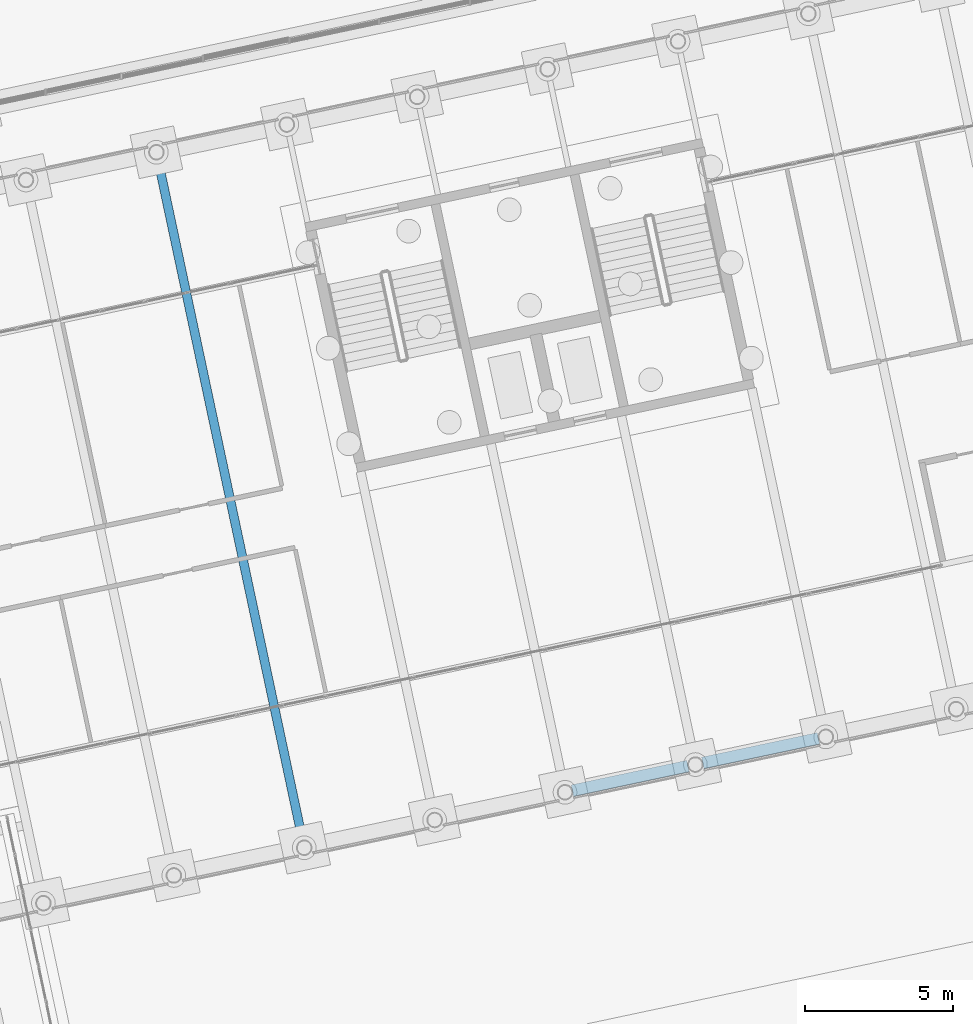
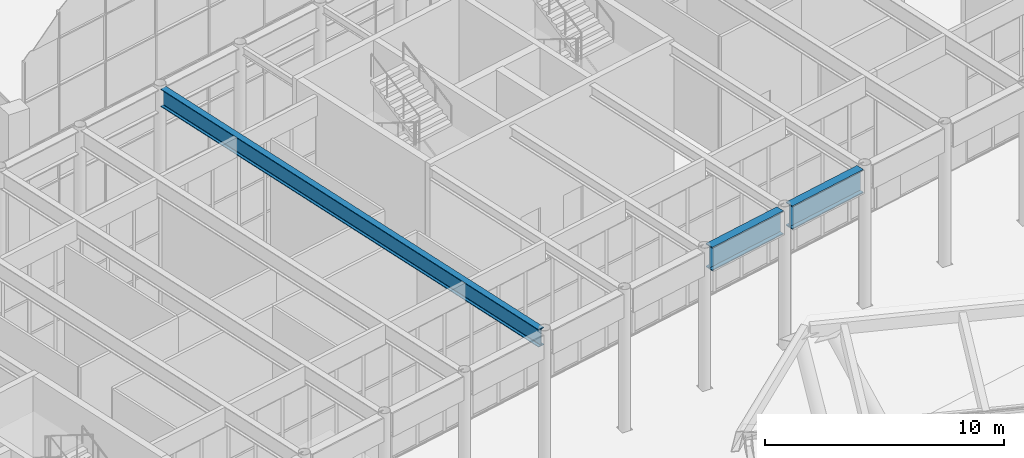
# One storey, part 93 of 239: 3 beams.
"""IFC4 building model written with IfcOpenShell, lengths in metres."""

from ifc_helpers import new_model, si_unit, direction, frame, origin, origin_2d, place, context, subcontext, project, spatial, i_section, extrude, material, material_profile, profile_set, type_object, element, save


model = new_model("IFC4")

# Units and contexts
model_context = context("Model", 3, precision=1e-05, world=origin(), true_north=direction((0.0, 1.0)))
body_context = subcontext(model_context, "Body", "Model", "MODEL_VIEW")
ifc_project = project(units=[si_unit("LENGTHUNIT", "METRE"), si_unit("AREAUNIT", "SQUARE_METRE"), si_unit("VOLUMEUNIT", "CUBIC_METRE"), si_unit("PLANEANGLEUNIT", "RADIAN"), si_unit("MASSUNIT", "GRAM", prefix="KILO")], contexts=[model_context])

# Site, building, storey
site_placement = place(None, origin())
site = spatial("IfcSite", under=ifc_project, at=site_placement, CompositionType="ELEMENT")
building_placement = place(site_placement, origin())
building = spatial("IfcBuilding", under=site, at=building_placement, Name="Okhra Congress Centre", CompositionType="ELEMENT")
storey_placement = place(building_placement, origin())
storey = spatial("IfcBuildingStorey", under=building, at=storey_placement, Name="L00", CompositionType="ELEMENT", Elevation=0.0)

# Beams
ifc_material = material(Name="Steel S355J2", Category="steel")
ifc_material_profile_1 = material_profile(ifc_material, i_section(OverallWidth=0.300048828125, OverallDepth=0.89990234375, WebThickness=0.0185546875, FlangeThickness=0.034912109375, FilletRadius=0.030029296875, at=origin_2d()), Name="HE 900 B")
ifc_profile_set_1 = profile_set([ifc_material_profile_1], Name="Steel S355J2")
beam_type_1 = type_object("IfcBeamType", Name="Floor beam HE 900 B", PredefinedType="BEAM", material=ifc_profile_set_1)
beam_1_placement = place(storey_placement, frame((166.609375, 49.459228515625, 6.60009765625), z_axis=(-0.207910966979, 0.97814775459, 0.0), x_axis=(-0.97814775459, -0.207910966979, 0.0)))
element("IfcBeam", 1, at=beam_1_placement, inside=storey, type_object=beam_type_1, Name="Floor beam 24.1", PredefinedType="BEAM", context=body_context, shape_type="SweptSolid", body=[
    extrude(i_section(OverallWidth=0.300048828125, OverallDepth=0.89990234375, WebThickness=0.0185546875, FlangeThickness=0.034912109375, FilletRadius=0.030029296875, at=origin_2d()), origin(), (0.0, 0.0, 1.0), 23.60009765625),
])
ifc_material_profile_2 = material_profile(ifc_material, i_section(OverallWidth=0.39990234375, OverallDepth=1.199951171875, WebThickness=0.02490234375, FlangeThickness=0.050048828125, at=origin_2d()), Name="Plate girder 1200x400")
ifc_profile_set_2 = profile_set([ifc_material_profile_2], Name="Steel S355J2")
beam_type_2 = type_object("IfcBeamType", Name="Perimeter plate girder 1200x400", PredefinedType="BEAM", material=ifc_profile_set_2)
beam_2_placement = place(storey_placement, frame((175.70263671875, 51.187744140625, 6.449951171875), z_axis=(0.978155431297, 0.207874847504, 0.0), x_axis=(-0.207874847504, 0.978155431297, 0.0)))
element("IfcBeam", 2, at=beam_2_placement, inside=storey, type_object=beam_type_2, Name="Perimeter girder S24", PredefinedType="BEAM", context=body_context, shape_type="SweptSolid", body=[
    extrude(i_section(OverallWidth=0.39990234375, OverallDepth=1.199951171875, WebThickness=0.02490234375, FlangeThickness=0.050048828125, at=origin_2d()), origin(), (0.0, 0.0, 1.0), 3.991943359375),
])
beam_3_placement = place(storey_placement, frame((180.1044921875, 52.123291015625, 6.449951171875), z_axis=(0.978140349848, 0.20794580063, 0.0), x_axis=(-0.20794580063, 0.978140349848, 0.0)))
element("IfcBeam", 3, at=beam_3_placement, inside=storey, type_object=beam_type_2, Name="Perimeter girder S25", PredefinedType="BEAM", context=body_context, shape_type="SweptSolid", body=[
    extrude(i_section(OverallWidth=0.39990234375, OverallDepth=1.199951171875, WebThickness=0.02490234375, FlangeThickness=0.050048828125, at=origin_2d()), origin(), (0.0, 0.0, 1.0), 3.99169921875),
])

save(model, "model.ifc")
